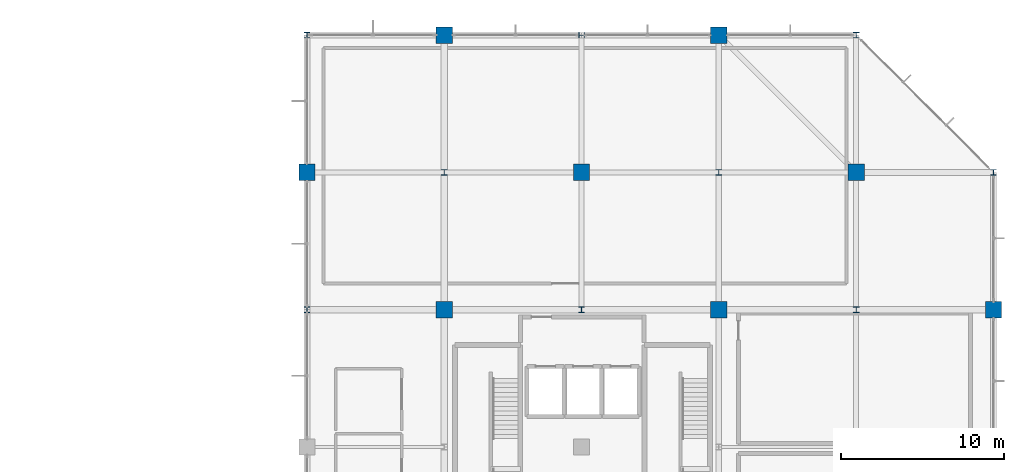
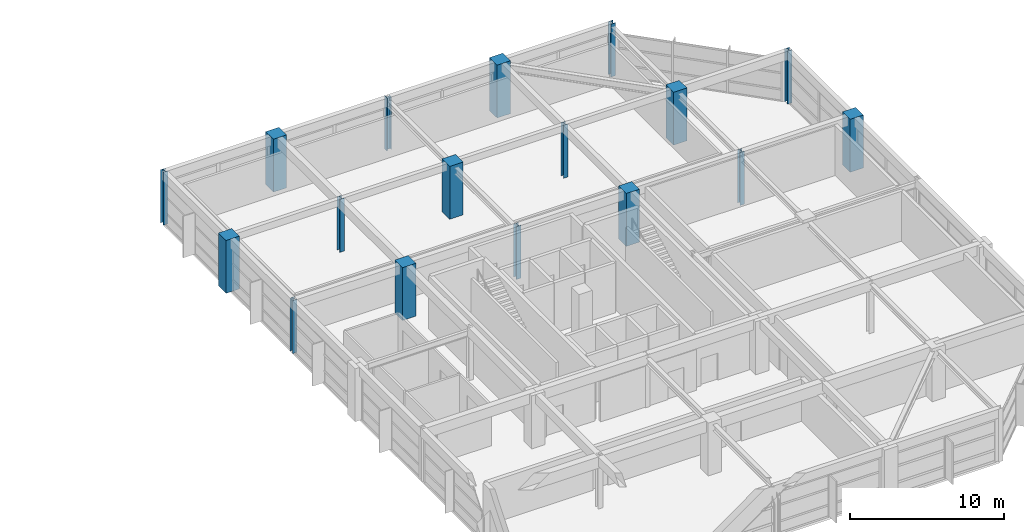
# One storey, part 4 of 32: 17 columns.
"""IFC4 building model written with IfcOpenShell, lengths in metres."""

from ifc_helpers import new_model, si_unit, direction, frame, origin, origin_2d, place, context, subcontext, project, spatial, rectangle, i_section, extrude, material, material_profile, profile_set, type_object, element, save


model = new_model("IFC4")

# Units and contexts
model_context = context("Model", 3, precision=1e-05, world=origin(), true_north=direction((0.0, 1.0)))
body_context = subcontext(model_context, "Body", "Model", "MODEL_VIEW")
ifc_project = project(units=[si_unit("LENGTHUNIT", "METRE"), si_unit("AREAUNIT", "SQUARE_METRE"), si_unit("VOLUMEUNIT", "CUBIC_METRE"), si_unit("PLANEANGLEUNIT", "RADIAN"), si_unit("MASSUNIT", "GRAM", prefix="KILO")], contexts=[model_context])

# Site, building, storey
site_placement = place(None, origin())
site = spatial("IfcSite", under=ifc_project, at=site_placement, CompositionType="ELEMENT")
building_placement = place(site_placement, origin())
building = spatial("IfcBuilding", under=site, at=building_placement, Name="Xuanlan Plaza Opera House", CompositionType="ELEMENT")
storey_placement = place(building_placement, frame((0.0, 0.0, 40.5)))
storey = spatial("IfcBuildingStorey", under=building, at=storey_placement, Name="L09", CompositionType="ELEMENT", Elevation=40.5)

# Columns
ifc_material_1 = material(Name="Concrete C50", Category="concrete")
ifc_material_profile_1 = material_profile(ifc_material_1, rectangle(XDim=1.0, YDim=1.0, at=origin_2d()), Name="RC-COL 1000x1000")
ifc_profile_set_1 = profile_set([ifc_material_profile_1], Name="Concrete C50")
column_type_1 = type_object("IfcColumnType", Name="STR-COL-C-04", PredefinedType="COLUMN", material=ifc_profile_set_1)
for number, where, z_axis, x_axis, name in (
    (1, (126.0, 75.60009765625, 0.0), (0.0, 0.0, 1.0), (1.0, 0.0, 0.0), "Column L09 16-J"),
    (2, (134.39990234375, 67.199951171875, 0.0), (0.0, 0.0, 1.0), (1.0, 0.0, 0.0), "Column L09 17-I"),
    (3, (134.39990234375, 84.0, 0.0), (0.0, 0.0, 1.0), (1.0, 0.0, 0.0), "Column L09 17-K"),
    (4, (142.800048828125, 75.60009765625, 0.0), (0.0, 0.0, 1.0), (1.0, 0.0, 0.0), "Column L09 18-J"),
    (5, (151.199951171875, 67.199951171875, 0.0), (0.0, 0.0, 1.0), (1.0, 0.0, 0.0), "Column L09 19-I"),
    (6, (151.199951171875, 84.0, 0.0), (0.0, 0.0, 1.0), (1.0, 0.0, 0.0), "Column L09 19-K"),
    (7, (159.60009765625, 75.60009765625, 0.0), (0.0, 0.0, 1.0), (1.0, 0.0, 0.0), "Column L09 20-J"),
    (8, (168.0, 67.199951171875, 0.0), (0.0, 0.0, 1.0), (1.0, 0.0, 0.0), "Column L09 21-I"),
):
    element("IfcColumn", number, at=place(storey_placement, frame(where, z_axis=z_axis, x_axis=x_axis)), inside=storey, type_object=column_type_1, Name=name, PredefinedType="COLUMN", context=body_context, shape_type="SweptSolid", body=[
        extrude(rectangle(XDim=1.0, YDim=1.0, at=origin_2d()), origin(), (0.0, 0.0, 1.0), 4.199951171875),
    ])
ifc_material_2 = material(Name="Steel Q355B", Category="steel")
ifc_material_profile_2 = material_profile(ifc_material_2, i_section(OverallWidth=0.35009765625, OverallDepth=0.35009765625, WebThickness=0.011962890625, FlangeThickness=0.01904296875, FilletRadius=0.02001953125, at=origin_2d()), Name="HW 350x350x12x19")
ifc_profile_set_2 = profile_set([ifc_material_profile_2], Name="Steel Q355B")
column_type_2 = type_object("IfcColumnType", Name="STR-COL-C-15", PredefinedType="COLUMN", material=ifc_profile_set_2)
for number, where, z_axis, x_axis, name in (
    (9, (126.0, 67.199951171875, 0.0), (0.0, 0.0, 1.0), (1.0, 0.0, 0.0), "Column L09 16-I"),
    (10, (126.0, 84.0, 0.0), (0.0, 0.0, 1.0), (1.0, 0.0, 0.0), "Column L09 16-K"),
    (11, (134.39990234375, 75.60009765625, 0.0), (0.0, 0.0, 1.0), (1.0, 0.0, 0.0), "Column L09 17-J"),
    (12, (142.800048828125, 67.199951171875, 0.0), (0.0, 0.0, 1.0), (1.0, 0.0, 0.0), "Column L09 18-I"),
    (13, (142.800048828125, 84.0, 0.0), (0.0, 0.0, 1.0), (0.0, 1.0, 0.0), "Column L09 18-K"),
    (14, (151.199951171875, 75.60009765625, 0.0), (0.0, 0.0, 1.0), (1.0, 0.0, 0.0), "Column L09 19-J"),
    (15, (159.60009765625, 67.199951171875, 0.0), (0.0, 0.0, 1.0), (1.0, 0.0, 0.0), "Column L09 20-I"),
    (16, (159.60009765625, 84.0, 0.0), (0.0, 0.0, 1.0), (1.0, 0.0, 0.0), "Column L09 20-K"),
    (17, (168.0, 75.60009765625, 0.0), (0.0, 0.0, 1.0), (1.0, 0.0, 0.0), "Column L09 21-J"),
):
    element("IfcColumn", number, at=place(storey_placement, frame(where, z_axis=z_axis, x_axis=x_axis)), inside=storey, type_object=column_type_2, Name=name, PredefinedType="COLUMN", context=body_context, shape_type="SweptSolid", body=[
        extrude(i_section(OverallWidth=0.35009765625, OverallDepth=0.35009765625, WebThickness=0.011962890625, FlangeThickness=0.01904296875, FilletRadius=0.02001953125, at=origin_2d()), origin(), (0.0, 0.0, 1.0), 4.199951171875),
    ])

save(model, "model.ifc")
